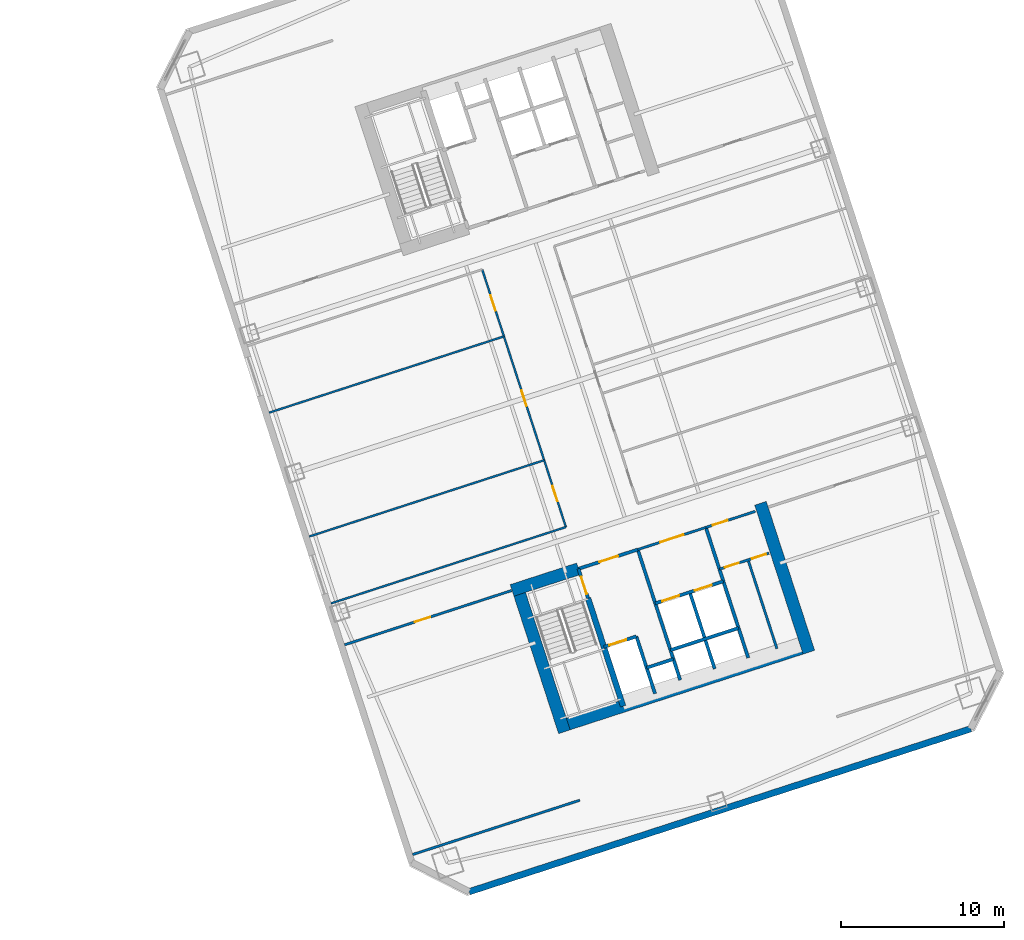
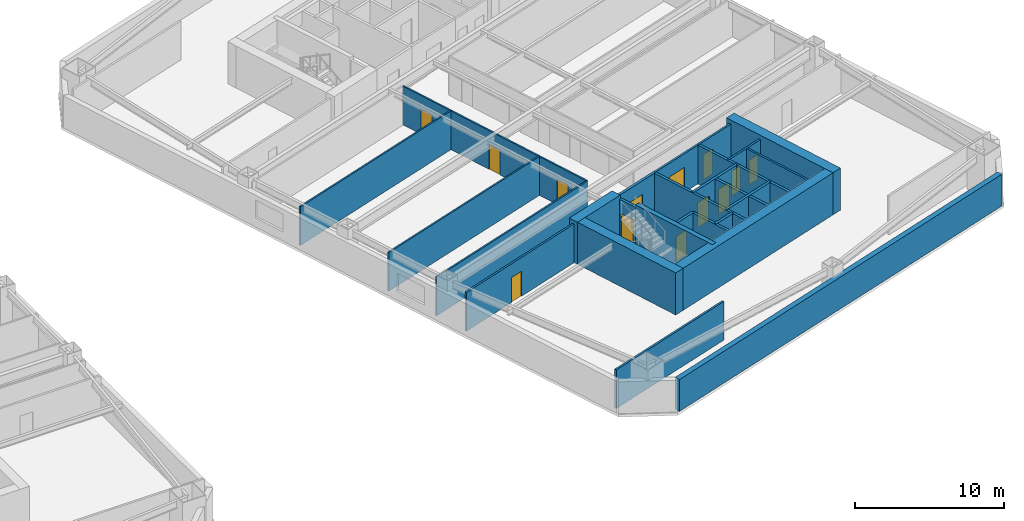
# One storey, part 14 of 19: 26 walls, 13 doors, 13 openings.
"""IFC4 building model written with IfcOpenShell, lengths in metres."""

from ifc_helpers import new_model, si_unit, direction, frame, frame_2d, origin, place, context, subcontext, project, spatial, rectangle, extrude, material, layer, layer_set, type_object, element, fill, save


model = new_model("IFC4")

# Units and contexts
model_context = context("Model", 3, precision=1e-05, world=origin(), true_north=direction((0.0, 1.0)))
body_context = subcontext(model_context, "Body", "Model", "MODEL_VIEW")
ifc_project = project(units=[si_unit("LENGTHUNIT", "METRE"), si_unit("AREAUNIT", "SQUARE_METRE"), si_unit("VOLUMEUNIT", "CUBIC_METRE"), si_unit("PLANEANGLEUNIT", "RADIAN"), si_unit("MASSUNIT", "GRAM", prefix="KILO")], contexts=[model_context])

# Site, building, storey
site_placement = place(None, origin())
site = spatial("IfcSite", under=ifc_project, at=site_placement, CompositionType="ELEMENT")
building_placement = place(site_placement, origin())
building = spatial("IfcBuilding", under=site, at=building_placement, Name="Qiaolan Cultural Towers", CompositionType="ELEMENT")
storey_placement = place(building_placement, frame((0.0, 0.0, 54.050048828125)))
storey = spatial("IfcBuildingStorey", under=building, at=storey_placement, Name="L12", CompositionType="ELEMENT", Elevation=54.050048828125)

# Walls
ifc_material_1 = material(Name="Concrete C50", Category="concrete")
ifc_layer_1 = layer(ifc_material_1, 0.35009765625)
ifc_layer_set_1 = layer_set([ifc_layer_1], Name="Concrete C50")
wall_type_1 = type_object("IfcWallType", Name="WL-CORE-350", PredefinedType="SHEAR", material=ifc_layer_set_1)
wall_1_placement = place(storey_placement, frame((90.486328125, 20.59423828125, 0.0), z_axis=(0.0, 0.0, 1.0), x_axis=(0.309020428229, -0.951055400562, 0.0)))
element("IfcWall", 1, at=wall_1_placement, inside=storey, type_object=wall_type_1, Name="L12 T2-CS Stair Core Dividing Web", PredefinedType="SHEAR", context=body_context, shape_type="SweptSolid", body=[
    extrude(rectangle(XDim=6.97998046875, YDim=0.35009765625, at=frame_2d((3.489990234375, 0.0))), origin(), (0.0, 0.0, 1.0), 3.449951171875),
])
ifc_material_2 = material(Name="Concrete C60", Category="concrete")
ifc_layer_2 = layer(ifc_material_2, 0.75)
ifc_layer_set_2 = layer_set([ifc_layer_2], Name="Concrete C60")
wall_type_2 = type_object("IfcWallType", Name="WL-CORE-750", PredefinedType="SHEAR", material=ifc_layer_set_2)
wall_2_placement = place(storey_placement, frame((88.55859375, 12.628662109375, 0.0), z_axis=(0.0, 0.0, 1.0), x_axis=(0.951056072937, 0.309018358888, 0.0)))
element("IfcWall", 2, at=wall_2_placement, inside=storey, type_object=wall_type_2, Name="L12 T2-CS Outer Core Shear Wall", PredefinedType="SHEAR", context=body_context, shape_type="SweptSolid", body=[
    extrude(rectangle(XDim=16.550048828125, YDim=0.75, at=frame_2d((8.27490234375, 0.0))), origin(), (0.0, 0.0, 1.0), 3.449951171875),
])
wall_3_placement = place(storey_placement, frame((86.05517578125, 21.54638671875, 0.0), z_axis=(0.0, 0.0, 1.0), x_axis=(0.309023585745, -0.951054374604, 0.0)))
element("IfcWall", 3, at=wall_3_placement, inside=storey, type_object=wall_type_2, Name="L12 T2-CS West Core Shear Wall", PredefinedType="SHEAR", context=body_context, shape_type="SweptSolid", body=[
    extrude(rectangle(XDim=9.6298828125, YDim=0.75, at=frame_2d((4.81494140625, 0.0))), origin(), (0.0, 0.0, 1.0), 3.449951171875),
])
wall_4_placement = place(storey_placement, frame((101.08203125, 26.428955078125, 0.0), z_axis=(0.0, 0.0, 1.0), x_axis=(0.309016134813, -0.951056795583, 0.0)))
element("IfcWall", 4, at=wall_4_placement, inside=storey, type_object=wall_type_2, Name="L12 T2-CS East Core Shear Wall", PredefinedType="SHEAR", context=body_context, shape_type="SweptSolid", body=[
    extrude(rectangle(XDim=9.630126953125, YDim=0.75, at=frame_2d((4.81494140625, 0.0))), origin(), (0.0, 0.0, 1.0), 3.449951171875),
])
wall_5_placement = place(storey_placement, frame((85.814453125, 21.073974609375, 0.0), z_axis=(0.0, 0.0, 1.0), x_axis=(0.95106580992, 0.308988390074, 0.0)))
element("IfcWall", 5, at=wall_5_placement, inside=storey, type_object=wall_type_2, Name="L12 T2-CS Stair Front Shear Wall", PredefinedType="SHEAR", context=body_context, shape_type="SweptSolid", body=[
    extrude(rectangle(XDim=4.295166015625, YDim=0.75, at=frame_2d((2.1474609375, 0.0))), origin(), (0.0, 0.0, 1.0), 3.449951171875),
])
ifc_material_3 = material(Name="Precast Concrete C50 Honed Stone Pier", Category="masonry")
ifc_layer_3 = layer(ifc_material_3, 0.39990234375)
ifc_layer_set_3 = layer_set([ifc_layer_3], Name="Precast Concrete C50 Honed Stone Pier")
wall_type_3 = type_object("IfcWallType", Name="WL-EXT-PIER-400", PredefinedType="SOLIDWALL", material=ifc_layer_set_3)
wall_6_placement = place(storey_placement, frame((113.997802734375, 12.566650390625, 0.0), z_axis=(0.0, 0.0, 1.0), x_axis=(-0.951055939317, -0.309018770125, 0.0)))
element("IfcWall", 6, at=wall_6_placement, inside=storey, type_object=wall_type_3, Name="L12 East Tower Precast Pier Facade Wall F7", PredefinedType="SOLIDWALL", context=body_context, shape_type="SweptSolid", body=[
    extrude(rectangle(XDim=32.39990234375, YDim=0.39990234375, at=frame_2d((16.199951171875, 0.0))), origin(), (0.0, 0.0, 1.0), 2.60986328125),
])

# Wall, opening, door
ifc_material_4 = material(Name="Concrete C35 Fire Wall", Category="concrete")
ifc_layer_4 = layer(ifc_material_4, 0.199951171875)
ifc_layer_set_4 = layer_set([ifc_layer_4], Name="Concrete C35 Fire Wall")
wall_type_4 = type_object("IfcWallType", Name="WL-FIRE-200", PredefinedType="PARTITIONING", material=ifc_layer_set_4)
wall_7_placement = place(storey_placement, frame((89.8994140625, 22.401123046875, 0.0), z_axis=(0.0, 0.0, 1.0), x_axis=(0.308932062672, -0.951084108086, 0.0)))
wall_7 = element("IfcWall", 7, at=wall_7_placement, inside=storey, type_object=wall_type_4, Name="L12 T2-CS Smokeproof Stair Entry Wall", PredefinedType="PARTITIONING", context=body_context, shape_type="SweptSolid", body=[
    extrude(rectangle(XDim=1.89990234375, YDim=0.199951171875, at=frame_2d((0.949951171875, 0.0))), origin(), (0.0, 0.0, 1.0), 3.175048828125),
])
opening_1_placement = place(wall_7_placement, frame((0.52001953125, 0.0, 0.0)))
opening_1 = element("IfcOpeningElement", 8, at=opening_1_placement, cuts=wall_7, Name="Opening FD-04", PredefinedType="OPENING", context=body_context, shape_type="SweptSolid", body=[
    extrude(rectangle(XDim=1.10009765625, YDim=2.050048828125, at=frame_2d((0.550048828125, 1.02490234375))), frame((0.0, 0.10986328125, 0.0), z_axis=(0.0, -1.0, 0.0), x_axis=(1.0, 0.0, 0.0)), (0.0, 0.0, 1.0), 0.219970703125),
])
ifc_material_5 = material(Name="Galvanized Steel Command Fire Door", Category="steel")
door_type_1 = type_object("IfcDoorType", Name="DR-FD90-1100", OperationType="NOTDEFINED", PredefinedType="DOOR", material=ifc_material_5)
door_1_placement = place(opening_1_placement, origin())
door_1 = element("IfcDoor", 9, at=door_1_placement, inside=storey, type_object=door_type_1, Name="L12 ST-E1 Smokeproof Stair Fire Door", OperationType="SINGLE_SWING_LEFT", OverallHeight=2.050048828125, OverallWidth=1.10009765625, PredefinedType="DOOR", context=body_context, shape_type="SweptSolid", body=[
    extrude(rectangle(XDim=1.10009765625, YDim=2.050048828125, at=frame_2d((0.550048828125, 1.02490234375))), frame((0.0, 0.02490234375, 0.0), z_axis=(0.0, -1.0, 0.0), x_axis=(1.0, 0.0, 0.0)), (0.0, 0.0, 1.0), 0.050048828125),
])
fill(opening_1, door_1)

# Wall
wall_8_placement = place(storey_placement, frame((93.541748046875, 23.584716796875, 0.0), z_axis=(0.0, 0.0, 1.0), x_axis=(0.309042196757, -0.951048327176, 0.0)))
element("IfcWall", 10, at=wall_8_placement, inside=storey, type_object=wall_type_4, Name="L12 T2-CS Firefighting Zone Wall", PredefinedType="PARTITIONING", context=body_context, shape_type="SweptSolid", body=[
    extrude(rectangle(XDim=8.429931640625, YDim=0.199951171875, at=frame_2d((4.21484375, 0.0))), origin(), (0.0, 0.0, 1.0), 3.175048828125),
])

# Wall, opening, door
wall_9_placement = place(storey_placement, frame((89.8994140625, 22.401123046875, 0.0), z_axis=(0.0, 0.0, 1.0), x_axis=(0.951046716504, 0.309047153403, 0.0)))
wall_9 = element("IfcWall", 11, at=wall_9_placement, inside=storey, type_object=wall_type_4, Name="L12 T2-CS Firefighting Lobby Front Wall", PredefinedType="PARTITIONING", context=body_context, shape_type="SweptSolid", body=[
    extrude(rectangle(XDim=3.829833984375, YDim=0.199951171875, at=frame_2d((1.9150390625, 0.0))), origin(), (0.0, 0.0, 1.0), 3.175048828125),
])
opening_2_placement = place(wall_9_placement, frame((1.35009765625, 0.0, 0.0)))
opening_2 = element("IfcOpeningElement", 12, at=opening_2_placement, cuts=wall_9, Name="Opening FD-03", PredefinedType="OPENING", context=body_context, shape_type="SweptSolid", body=[
    extrude(rectangle(XDim=1.199951171875, YDim=2.050048828125, at=frame_2d((0.60009765625, 1.02490234375))), frame((0.0, 0.10986328125, 0.0), z_axis=(0.0, -1.0, 0.0), x_axis=(1.0, 0.0, 0.0)), (0.0, 0.0, 1.0), 0.219970703125),
])
ifc_material_6 = material(Name="Galvanized Steel Smokeproof Lobby Fire Door", Category="steel")
door_type_2 = type_object("IfcDoorType", Name="DR-FD90-1200", OperationType="NOTDEFINED", PredefinedType="DOOR", material=ifc_material_6)
door_2_placement = place(opening_2_placement, origin())
door_2 = element("IfcDoor", 13, at=door_2_placement, inside=storey, type_object=door_type_2, Name="L12 FFL-E1 Firefighting Lobby Fire Door", OperationType="SINGLE_SWING_LEFT", OverallHeight=2.050048828125, OverallWidth=1.199951171875, PredefinedType="DOOR", context=body_context, shape_type="SweptSolid", body=[
    extrude(rectangle(XDim=1.199951171875, YDim=2.050048828125, at=frame_2d((0.60009765625, 1.02490234375))), frame((0.0, 0.02490234375, 0.0), z_axis=(0.0, -1.0, 0.0), x_axis=(1.0, 0.0, 0.0)), (0.0, 0.0, 1.0), 0.050048828125),
])
fill(opening_2, door_2)

wall_10_placement = place(storey_placement, frame((91.459716796875, 17.598388671875, 0.0), z_axis=(0.0, 0.0, 1.0), x_axis=(0.951062257173, 0.308999325213, 0.0)))
wall_10 = element("IfcWall", 14, at=wall_10_placement, inside=storey, type_object=wall_type_4, Name="L12 T2-CS Firefighting Shaft Front Wall", PredefinedType="PARTITIONING", context=body_context, shape_type="SweptSolid", body=[
    extrude(rectangle(XDim=2.10009765625, YDim=0.199951171875, at=frame_2d((1.050048828125, 0.0))), origin(), (0.0, 0.0, 1.0), 3.175048828125),
])
opening_3_placement = place(wall_10_placement, frame((0.35009765625, 0.0, 0.0)))
opening_3 = element("IfcOpeningElement", 15, at=opening_3_placement, cuts=wall_10, Name="Opening LD-01", PredefinedType="OPENING", context=body_context, shape_type="SweptSolid", body=[
    extrude(rectangle(XDim=1.10009765625, YDim=2.050048828125, at=frame_2d((0.550048828125, 1.02490234375))), frame((0.0, 0.10986328125, 0.0), z_axis=(0.0, -1.0, 0.0), x_axis=(1.0, 0.0, 0.0)), (0.0, 0.0, 1.0), 0.219970703125),
])
ifc_material_7 = material(Name="Brushed Stainless Steel S30408 Centre-Parting Lift Landing Door", Category="steel")
door_type_3 = type_object("IfcDoorType", Name="DR-LIFT-1100", OperationType="NOTDEFINED", PredefinedType="DOOR", material=ifc_material_7)
door_3_placement = place(opening_3_placement, origin())
door_3 = element("IfcDoor", 16, at=door_3_placement, inside=storey, type_object=door_type_3, Name="L12 FFL-E1 Firefighting Lift Landing Door", OperationType="DOUBLE_DOOR_SLIDING", OverallHeight=2.050048828125, OverallWidth=1.10009765625, PredefinedType="DOOR", context=body_context, shape_type="SweptSolid", body=[
    extrude(rectangle(XDim=1.10009765625, YDim=2.050048828125, at=frame_2d((0.550048828125, 1.02490234375))), frame((0.0, 0.02490234375, 0.0), z_axis=(0.0, -1.0, 0.0), x_axis=(1.0, 0.0, 0.0)), (0.0, 0.0, 1.0), 0.050048828125),
])
fill(opening_3, door_3)

# Walls
wall_11_placement = place(storey_placement, frame((93.45703125, 18.247314453125, 0.0), z_axis=(0.0, 0.0, 1.0), x_axis=(0.3089935693, -0.951064127245, 0.0)))
element("IfcWall", 17, at=wall_11_placement, inside=storey, type_object=wall_type_4, Name="L12 T2-CS Firefighting Hoistway East Wall", PredefinedType="PARTITIONING", context=body_context, shape_type="SweptSolid", body=[
    extrude(rectangle(XDim=3.7001953125, YDim=0.199951171875, at=frame_2d((1.85009765625, 0.0))), origin(), (0.0, 0.0, 1.0), 3.175048828125),
])
wall_12_placement = place(storey_placement, frame((94.08447265625, 16.316650390625, 0.0), z_axis=(0.0, 0.0, 1.0), x_axis=(0.951041328149, 0.309063734775, 0.0)))
element("IfcWall", 18, at=wall_12_placement, inside=storey, type_object=wall_type_4, Name="L12 T2-CS Pressurization Shaft Front Wall", PredefinedType="PARTITIONING", context=body_context, shape_type="SweptSolid", body=[
    extrude(rectangle(XDim=1.72998046875, YDim=0.199951171875, at=frame_2d((0.864990234375, 0.0))), origin(), (0.0, 0.0, 1.0), 3.175048828125),
])
wall_13_placement = place(storey_placement, frame((97.7265625, 24.9443359375, 0.0), z_axis=(0.0, 0.0, 1.0), x_axis=(0.309016001439, -0.951056838919, 0.0)))
element("IfcWall", 19, at=wall_13_placement, inside=storey, type_object=wall_type_4, Name="L12 T2-CS Lift Core East Wall", PredefinedType="PARTITIONING", context=body_context, shape_type="SweptSolid", body=[
    extrude(rectangle(XDim=8.429931640625, YDim=0.199951171875, at=frame_2d((4.21484375, 0.0))), origin(), (0.0, 0.0, 1.0), 3.175048828125),
])

# Wall, openings, doors
wall_14_placement = place(storey_placement, frame((94.6171875, 20.275146484375, 0.0), z_axis=(0.0, 0.0, 1.0), x_axis=(0.951058531764, 0.30901079133, 0.0)))
wall_14 = element("IfcWall", 20, at=wall_14_placement, inside=storey, type_object=wall_type_4, Name="L12 T2-CS Passenger Lift Shaft Front Wall", PredefinedType="PARTITIONING", context=body_context, shape_type="SweptSolid", body=[
    extrude(rectangle(XDim=4.39990234375, YDim=0.199951171875, at=frame_2d((2.199951171875, 0.0))), origin(), (0.0, 0.0, 1.0), 3.175048828125),
])
opening_4_placement = place(wall_14_placement, frame((0.449951171875, 0.0, 0.0)))
opening_4 = element("IfcOpeningElement", 21, at=opening_4_placement, cuts=wall_14, Name="Opening LD-01", PredefinedType="OPENING", context=body_context, shape_type="SweptSolid", body=[
    extrude(rectangle(XDim=1.10009765625, YDim=2.050048828125, at=frame_2d((0.550048828125, 1.02490234375))), frame((0.0, 0.10986328125, 0.0), z_axis=(0.0, -1.0, 0.0), x_axis=(1.0, 0.0, 0.0)), (0.0, 0.0, 1.0), 0.219970703125),
])
opening_5_placement = place(wall_14_placement, frame((2.550048828125, 0.0, 0.0)))
opening_5 = element("IfcOpeningElement", 22, at=opening_5_placement, cuts=wall_14, Name="Opening LD-01", PredefinedType="OPENING", context=body_context, shape_type="SweptSolid", body=[
    extrude(rectangle(XDim=1.10009765625, YDim=2.050048828125, at=frame_2d((0.550048828125, 1.02490234375))), frame((0.0, 0.10986328125, 0.0), z_axis=(0.0, -1.0, 0.0), x_axis=(1.0, 0.0, 0.0)), (0.0, 0.0, 1.0), 0.219970703125),
])
door_4_placement = place(opening_4_placement, origin())
door_4 = element("IfcDoor", 23, at=door_4_placement, inside=storey, type_object=door_type_3, Name="L12 Passenger Lift 1 Landing Door", OperationType="DOUBLE_DOOR_SLIDING", OverallHeight=2.050048828125, OverallWidth=1.10009765625, PredefinedType="DOOR", context=body_context, shape_type="SweptSolid", body=[
    extrude(rectangle(XDim=1.10009765625, YDim=2.050048828125, at=frame_2d((0.550048828125, 1.02490234375))), frame((0.0, 0.02490234375, 0.0), z_axis=(0.0, -1.0, 0.0), x_axis=(1.0, 0.0, 0.0)), (0.0, 0.0, 1.0), 0.050048828125),
])
fill(opening_4, door_4)
door_5_placement = place(opening_5_placement, origin())
door_5 = element("IfcDoor", 24, at=door_5_placement, inside=storey, type_object=door_type_3, Name="L12 Passenger Lift 2 Landing Door", OperationType="DOUBLE_DOOR_SLIDING", OverallHeight=2.050048828125, OverallWidth=1.10009765625, PredefinedType="DOOR", context=body_context, shape_type="SweptSolid", body=[
    extrude(rectangle(XDim=1.10009765625, YDim=2.050048828125, at=frame_2d((0.550048828125, 1.02490234375))), frame((0.0, 0.02490234375, 0.0), z_axis=(0.0, -1.0, 0.0), x_axis=(1.0, 0.0, 0.0)), (0.0, 0.0, 1.0), 0.050048828125),
])
fill(opening_5, door_5)

# Walls
wall_15_placement = place(storey_placement, frame((96.738037109375, 20.964111328125, 0.0), z_axis=(0.0, 0.0, 1.0), x_axis=(0.309042578481, -0.951048203135, 0.0)))
element("IfcWall", 25, at=wall_15_placement, inside=storey, type_object=wall_type_4, Name="L12 T2-CS Lift Shaft Divider Wall", PredefinedType="PARTITIONING", context=body_context, shape_type="SweptSolid", body=[
    extrude(rectangle(XDim=4.9501953125, YDim=0.199951171875, at=frame_2d((2.47509765625, 0.0))), origin(), (0.0, 0.0, 1.0), 3.175048828125),
])
wall_16_placement = place(storey_placement, frame((95.550537109375, 17.40283203125, 0.0), z_axis=(0.0, 0.0, 1.0), x_axis=(0.951058531764, 0.30901079133, 0.0)))
element("IfcWall", 26, at=wall_16_placement, inside=storey, type_object=wall_type_4, Name="L12 T2-CS Passenger Lift Shaft Back Wall", PredefinedType="PARTITIONING", context=body_context, shape_type="SweptSolid", body=[
    extrude(rectangle(XDim=4.39990234375, YDim=0.199951171875, at=frame_2d((2.199951171875, 0.0))), origin(), (0.0, 0.0, 1.0), 3.175048828125),
])
ifc_material_8 = material(Name="Gypsum Stud Acoustic Partition", Category="gypsum")
ifc_layer_5 = layer(ifc_material_8, 0.1201171875)
ifc_layer_set_5 = layer_set([ifc_layer_5], Name="Gypsum Stud Acoustic Partition")
wall_type_5 = type_object("IfcWallType", Name="WL-PART-120", PredefinedType="PARTITIONING", material=ifc_layer_set_5)
wall_17_placement = place(storey_placement, frame((74.691162109375, 20.277587890625, 0.0), z_axis=(0.0, 0.0, 1.0), x_axis=(0.951054756643, 0.309022409974, 0.0)))
element("IfcWall", 27, at=wall_17_placement, inside=storey, type_object=wall_type_5, Name="L12 T2 South Corridor Left Wall", PredefinedType="PARTITIONING", context=body_context, shape_type="SweptSolid", body=[
    extrude(rectangle(XDim=15.175048828125, YDim=0.1201171875, at=frame_2d((7.58740234375, 0.0))), origin(), (0.0, 0.0, 1.0), 3.175048828125),
])

# Wall, openings, doors
wall_18_placement = place(storey_placement, frame((89.12353515625, 24.967041015625, 0.0), z_axis=(0.0, 0.0, 1.0), x_axis=(-0.30901773025, 0.951056277195, 0.0)))
wall_18 = element("IfcWall", 28, at=wall_18_placement, inside=storey, type_object=wall_type_5, Name="L12 T2 West Spine Wall", PredefinedType="PARTITIONING", context=body_context, shape_type="SweptSolid", body=[
    extrude(rectangle(XDim=16.64013671875, YDim=0.1201171875, at=frame_2d((8.320068359375, 0.0))), origin(), (0.0, 0.0, 1.0), 3.175048828125),
])
opening_6_placement = place(wall_18_placement, frame((1.659912109375, 0.0, 0.0)))
opening_6 = element("IfcOpeningElement", 29, at=opening_6_placement, cuts=wall_18, Name="Opening ID-04", PredefinedType="OPENING", context=body_context, shape_type="SweptSolid", body=[
    extrude(rectangle(XDim=1.0, YDim=2.050048828125, at=frame_2d((0.5, 1.02490234375))), frame((0.0, 0.070068359375, 0.0), z_axis=(0.0, -1.0, 0.0), x_axis=(1.0, 0.0, 0.0)), (0.0, 0.0, 1.0), 0.14013671875),
])
opening_7_placement = place(wall_18_placement, frame((7.820068359375, 0.0, 0.0)))
opening_7 = element("IfcOpeningElement", 30, at=opening_7_placement, cuts=wall_18, Name="Opening ID-04", PredefinedType="OPENING", context=body_context, shape_type="SweptSolid", body=[
    extrude(rectangle(XDim=1.0, YDim=2.050048828125, at=frame_2d((0.5, 1.02490234375))), frame((0.0, 0.070068359375, 0.0), z_axis=(0.0, -1.0, 0.0), x_axis=(1.0, 0.0, 0.0)), (0.0, 0.0, 1.0), 0.14013671875),
])
opening_8_placement = place(wall_18_placement, frame((13.97998046875, 0.0, 0.0)))
opening_8 = element("IfcOpeningElement", 31, at=opening_8_placement, cuts=wall_18, Name="Opening ID-04", PredefinedType="OPENING", context=body_context, shape_type="SweptSolid", body=[
    extrude(rectangle(XDim=1.0, YDim=2.050048828125, at=frame_2d((0.5, 1.02490234375))), frame((0.0, 0.070068359375, 0.0), z_axis=(0.0, -1.0, 0.0), x_axis=(1.0, 0.0, 0.0)), (0.0, 0.0, 1.0), 0.14013671875),
])
ifc_material_9 = material(Name="Oak Veneer Acoustic Office Door", Category="timber")
door_type_4 = type_object("IfcDoorType", Name="DR-INT-1000", OperationType="NOTDEFINED", PredefinedType="DOOR", material=ifc_material_9)
door_6_placement = place(opening_6_placement, origin())
door_6 = element("IfcDoor", 32, at=door_6_placement, inside=storey, type_object=door_type_4, Name="L12 T2 Contemporary Art Salon Door", OperationType="SINGLE_SWING_LEFT", OverallHeight=2.050048828125, OverallWidth=1.0, PredefinedType="DOOR", context=body_context, shape_type="SweptSolid", body=[
    extrude(rectangle(XDim=1.0, YDim=2.050048828125, at=frame_2d((0.5, 1.02490234375))), frame((0.0, 0.02490234375, 0.0), z_axis=(0.0, -1.0, 0.0), x_axis=(1.0, 0.0, 0.0)), (0.0, 0.0, 1.0), 0.050048828125),
])
fill(opening_6, door_6)
door_7_placement = place(opening_7_placement, origin())
door_7 = element("IfcDoor", 33, at=door_7_placement, inside=storey, type_object=door_type_4, Name="L12 T2 Contemporary Art Salon Door", OperationType="SINGLE_SWING_RIGHT", OverallHeight=2.050048828125, OverallWidth=1.0, PredefinedType="DOOR", context=body_context, shape_type="SweptSolid", body=[
    extrude(rectangle(XDim=1.0, YDim=2.050048828125, at=frame_2d((0.5, 1.02490234375))), frame((0.0, 0.02490234375, 0.0), z_axis=(0.0, -1.0, 0.0), x_axis=(1.0, 0.0, 0.0)), (0.0, 0.0, 1.0), 0.050048828125),
])
fill(opening_7, door_7)
door_8_placement = place(opening_8_placement, origin())
door_8 = element("IfcDoor", 34, at=door_8_placement, inside=storey, type_object=door_type_4, Name="L12 T2 Members Reading Club Door", OperationType="SINGLE_SWING_LEFT", OverallHeight=2.050048828125, OverallWidth=1.0, PredefinedType="DOOR", context=body_context, shape_type="SweptSolid", body=[
    extrude(rectangle(XDim=1.0, YDim=2.050048828125, at=frame_2d((0.5, 1.02490234375))), frame((0.0, 0.02490234375, 0.0), z_axis=(0.0, -1.0, 0.0), x_axis=(1.0, 0.0, 0.0)), (0.0, 0.0, 1.0), 0.050048828125),
])
fill(opening_8, door_8)

# Walls
for number, where, z_axis, x_axis, name in (
    (35, (73.356201171875, 24.38623046875, 0.0), (0.0, 0.0, 1.0), (0.951054756643, 0.309022409974, 0.0), "L12 T2 West Partition 1"),
    (36, (70.884033203125, 31.99462890625, 0.0), (0.0, 0.0, 1.0), (0.951054756643, 0.309022409974, 0.0), "L12 T2 West Partition 2"),
):
    element("IfcWall", number, at=place(storey_placement, frame(where, z_axis=z_axis, x_axis=x_axis)), inside=storey, type_object=wall_type_5, Name=name, PredefinedType="PARTITIONING", context=body_context, shape_type="SweptSolid", body=[
        extrude(rectangle(XDim=15.175048828125, YDim=0.1201171875, at=frame_2d((7.58740234375, 0.0))), origin(), (0.0, 0.0, 1.0), 3.175048828125),
    ])

# Wall, opening, door
ifc_material_10 = material(Name="Autoclaved Aerated Concrete Block B06", Category="concrete")
ifc_layer_6 = layer(ifc_material_10, 0.14990234375)
ifc_layer_set_6 = layer_set([ifc_layer_6], Name="Autoclaved Aerated Concrete Block B06")
wall_type_6 = type_object("IfcWallType", Name="WL-PART-150", PredefinedType="PARTITIONING", material=ifc_layer_set_6)
wall_19_placement = place(storey_placement, frame((93.541748046875, 23.584716796875, 0.0), z_axis=(0.0, 0.0, 1.0), x_axis=(0.951063829732, 0.308994485023, 0.0)))
wall_19 = element("IfcWall", 37, at=wall_19_placement, inside=storey, type_object=wall_type_6, Name="L12 T2-CS Passenger Lift Lobby Front Wall", PredefinedType="PARTITIONING", context=body_context, shape_type="SweptSolid", body=[
    extrude(rectangle(XDim=4.400146484375, YDim=0.14990234375, at=frame_2d((2.2001953125, 0.0))), origin(), (0.0, 0.0, 1.0), 3.175048828125),
])
opening_9_placement = place(wall_19_placement, frame((1.449951171875, 0.0, 0.0)))
opening_9 = element("IfcOpeningElement", 38, at=opening_9_placement, cuts=wall_19, Name="Opening FD-05", PredefinedType="OPENING", context=body_context, shape_type="SweptSolid", body=[
    extrude(rectangle(XDim=1.5, YDim=2.050048828125, at=frame_2d((0.75, 1.02490234375))), frame((0.0, 0.0849609375, 0.0), z_axis=(0.0, -1.0, 0.0), x_axis=(1.0, 0.0, 0.0)), (0.0, 0.0, 1.0), 0.169921875),
])
ifc_material_11 = material(Name="Painted Steel Lift Lobby Fire Door", Category="steel")
door_type_5 = type_object("IfcDoorType", Name="DR-FD60-1500", OperationType="NOTDEFINED", PredefinedType="DOOR", material=ifc_material_11)
door_9_placement = place(opening_9_placement, origin())
door_9 = element("IfcDoor", 39, at=door_9_placement, inside=storey, type_object=door_type_5, Name="L12 Passenger Lift Lobby Entrance", OperationType="SINGLE_SWING_LEFT", OverallHeight=2.050048828125, OverallWidth=1.5, PredefinedType="DOOR", context=body_context, shape_type="SweptSolid", body=[
    extrude(rectangle(XDim=1.5, YDim=2.050048828125, at=frame_2d((0.75, 1.02490234375))), frame((0.0, 0.02490234375, 0.0), z_axis=(0.0, -1.0, 0.0), x_axis=(1.0, 0.0, 0.0)), (0.0, 0.0, 1.0), 0.050048828125),
])
fill(opening_9, door_9)

wall_20_placement = place(storey_placement, frame((97.7265625, 24.9443359375, 0.0), z_axis=(0.0, 0.0, 1.0), x_axis=(0.951036872128, 0.309077446369, 0.0)))
wall_20 = element("IfcWall", 40, at=wall_20_placement, inside=storey, type_object=wall_type_6, Name="L12 T2-CS Sanitary Core Front Wall", PredefinedType="PARTITIONING", context=body_context, shape_type="SweptSolid", body=[
    extrude(rectangle(XDim=3.199951171875, YDim=0.14990234375, at=frame_2d((1.60009765625, 0.0))), origin(), (0.0, 0.0, 1.0), 3.175048828125),
])
opening_10_placement = place(wall_20_placement, frame((0.449951171875, 0.0, 0.0)))
opening_10 = element("IfcOpeningElement", 41, at=opening_10_placement, cuts=wall_20, Name="Opening ID-05", PredefinedType="OPENING", context=body_context, shape_type="SweptSolid", body=[
    extrude(rectangle(XDim=0.949951171875, YDim=2.050048828125, at=frame_2d((0.47509765625, 1.02490234375))), frame((0.0, 0.0849609375, 0.0), z_axis=(0.0, -1.0, 0.0), x_axis=(1.0, 0.0, 0.0)), (0.0, 0.0, 1.0), 0.169921875),
])
ifc_material_12 = material(Name="Fire-Rated Laminate Accessible Core Door", Category="timber")
door_type_6 = type_object("IfcDoorType", Name="DR-INT-950", OperationType="NOTDEFINED", PredefinedType="DOOR", material=ifc_material_12)
door_10_placement = place(opening_10_placement, origin())
door_10 = element("IfcDoor", 42, at=door_10_placement, inside=storey, type_object=door_type_6, Name="L12 Sanitary Vestibule Door", OperationType="SINGLE_SWING_LEFT", OverallHeight=2.050048828125, OverallWidth=0.949951171875, PredefinedType="DOOR", context=body_context, shape_type="SweptSolid", body=[
    extrude(rectangle(XDim=0.949951171875, YDim=2.050048828125, at=frame_2d((0.47509765625, 1.02490234375))), frame((0.0, 0.02490234375, 0.0), z_axis=(0.0, -1.0, 0.0), x_axis=(1.0, 0.0, 0.0)), (0.0, 0.0, 1.0), 0.050048828125),
])
fill(opening_10, door_10)

# Wall, openings, doors
wall_21_placement = place(storey_placement, frame((98.560791015625, 22.37646484375, 0.0), z_axis=(0.0, 0.0, 1.0), x_axis=(0.95104415986, 0.309055020985, 0.0)))
wall_21 = element("IfcWall", 43, at=wall_21_placement, inside=storey, type_object=wall_type_6, Name="L12 T2-CS Restroom Vestibule Wall", PredefinedType="PARTITIONING", context=body_context, shape_type="SweptSolid", body=[
    extrude(rectangle(XDim=3.2001953125, YDim=0.14990234375, at=frame_2d((1.60009765625, 0.0))), origin(), (0.0, 0.0, 1.0), 3.175048828125),
])
opening_11_placement = place(wall_21_placement, frame((0.35009765625, 0.0, 0.0)))
opening_11 = element("IfcOpeningElement", 44, at=opening_11_placement, cuts=wall_21, Name="Opening ID-06", PredefinedType="OPENING", context=body_context, shape_type="SweptSolid", body=[
    extrude(rectangle(XDim=0.89990234375, YDim=2.050048828125, at=frame_2d((0.449951171875, 1.02490234375))), frame((0.0, 0.0849609375, 0.0), z_axis=(0.0, -1.0, 0.0), x_axis=(1.0, 0.0, 0.0)), (0.0, 0.0, 1.0), 0.169921875),
])
opening_12_placement = place(wall_21_placement, frame((2.10009765625, 0.0, 0.0)))
opening_12 = element("IfcOpeningElement", 45, at=opening_12_placement, cuts=wall_21, Name="Opening ID-06", PredefinedType="OPENING", context=body_context, shape_type="SweptSolid", body=[
    extrude(rectangle(XDim=0.89990234375, YDim=2.050048828125, at=frame_2d((0.449951171875, 1.02490234375))), frame((0.0, 0.0849609375, 0.0), z_axis=(0.0, -1.0, 0.0), x_axis=(1.0, 0.0, 0.0)), (0.0, 0.0, 1.0), 0.169921875),
])
ifc_material_13 = material(Name="Fire-Rated Laminate Core Service Door", Category="timber")
door_type_7 = type_object("IfcDoorType", Name="DR-INT-900", OperationType="NOTDEFINED", PredefinedType="DOOR", material=ifc_material_13)
door_11_placement = place(opening_11_placement, origin())
door_11 = element("IfcDoor", 46, at=door_11_placement, inside=storey, type_object=door_type_7, Name="L12 Men Restroom Door", OperationType="SINGLE_SWING_LEFT", OverallHeight=2.050048828125, OverallWidth=0.89990234375, PredefinedType="DOOR", context=body_context, shape_type="SweptSolid", body=[
    extrude(rectangle(XDim=0.89990234375, YDim=2.050048828125, at=frame_2d((0.449951171875, 1.02490234375))), frame((0.0, 0.02490234375, 0.0), z_axis=(0.0, -1.0, 0.0), x_axis=(1.0, 0.0, 0.0)), (0.0, 0.0, 1.0), 0.050048828125),
])
fill(opening_11, door_11)
door_12_placement = place(opening_12_placement, origin())
door_12 = element("IfcDoor", 47, at=door_12_placement, inside=storey, type_object=door_type_7, Name="L12 Accessible & Women Restroom Door", OperationType="SINGLE_SWING_RIGHT", OverallHeight=2.050048828125, OverallWidth=0.89990234375, PredefinedType="DOOR", context=body_context, shape_type="SweptSolid", body=[
    extrude(rectangle(XDim=0.89990234375, YDim=2.050048828125, at=frame_2d((0.449951171875, 1.02490234375))), frame((0.0, 0.02490234375, 0.0), z_axis=(0.0, -1.0, 0.0), x_axis=(1.0, 0.0, 0.0)), (0.0, 0.0, 1.0), 0.050048828125),
])
fill(opening_12, door_12)

# Walls
wall_22_placement = place(storey_placement, frame((100.3203125, 22.9482421875, 0.0), z_axis=(0.0, 0.0, 1.0), x_axis=(0.309035009867, -0.951050662518, 0.0)))
element("IfcWall", 48, at=wall_22_placement, inside=storey, type_object=wall_type_6, Name="L12 T2-CS Restroom Divider Wall", PredefinedType="PARTITIONING", context=body_context, shape_type="SweptSolid", body=[
    extrude(rectangle(XDim=5.72998046875, YDim=0.14990234375, at=frame_2d((2.864990234375, 0.0))), origin(), (0.0, 0.0, 1.0), 3.175048828125),
])
wall_23_placement = place(storey_placement, frame((79.70654296875, 4.842041015625, 0.0), z_axis=(0.0, 0.0, 1.0), x_axis=(0.951056658866, 0.309016555588, 0.0)))
element("IfcWall", 49, at=wall_23_placement, inside=storey, type_object=wall_type_6, Name="L12 T2 Flank Wall FLK-SW", PredefinedType="PARTITIONING", context=body_context, shape_type="SweptSolid", body=[
    extrude(rectangle(XDim=10.800048828125, YDim=0.14990234375, at=frame_2d((5.39990234375, 0.0))), origin(), (0.0, 0.0, 1.0), 3.175048828125),
])

# Wall, opening, door
wall_24_placement = place(storey_placement, frame((75.519287109375, 17.728759765625, 0.0), z_axis=(0.0, 0.0, 1.0), x_axis=(0.951056658866, 0.309016555588, 0.0)))
wall_24 = element("IfcWall", 50, at=wall_24_placement, inside=storey, type_object=wall_type_6, Name="L12 T2 Flank Front FLK-SW", PredefinedType="PARTITIONING", context=body_context, shape_type="SweptSolid", body=[
    extrude(rectangle(XDim=10.800048828125, YDim=0.14990234375, at=frame_2d((5.39990234375, 0.0))), origin(), (0.0, 0.0, 1.0), 3.175048828125),
])
opening_13_placement = place(wall_24_placement, frame((4.535888671875, 0.0, 0.0)))
opening_13 = element("IfcOpeningElement", 51, at=opening_13_placement, cuts=wall_24, Name="Opening ID-04", PredefinedType="OPENING", context=body_context, shape_type="SweptSolid", body=[
    extrude(rectangle(XDim=1.0, YDim=2.050048828125, at=frame_2d((0.5, 1.02490234375))), frame((0.0, 0.0849609375, 0.0), z_axis=(0.0, -1.0, 0.0), x_axis=(1.0, 0.0, 0.0)), (0.0, 0.0, 1.0), 0.169921875),
])
door_13_placement = place(opening_13_placement, origin())
door_13 = element("IfcDoor", 52, at=door_13_placement, inside=storey, type_object=door_type_4, Name="L12 T2 Corner Studio Door", OperationType="SINGLE_SWING_LEFT", OverallHeight=2.050048828125, OverallWidth=1.0, PredefinedType="DOOR", context=body_context, shape_type="SweptSolid", body=[
    extrude(rectangle(XDim=1.0, YDim=2.050048828125, at=frame_2d((0.5, 1.02490234375))), frame((0.0, 0.02490234375, 0.0), z_axis=(0.0, -1.0, 0.0), x_axis=(1.0, 0.0, 0.0)), (0.0, 0.0, 1.0), 0.050048828125),
])
fill(opening_13, door_13)

save(model, "model.ifc")
